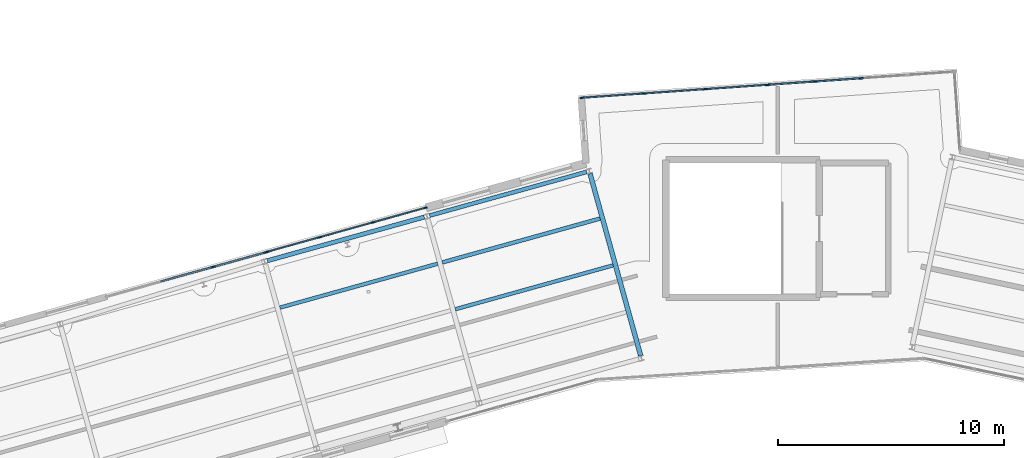
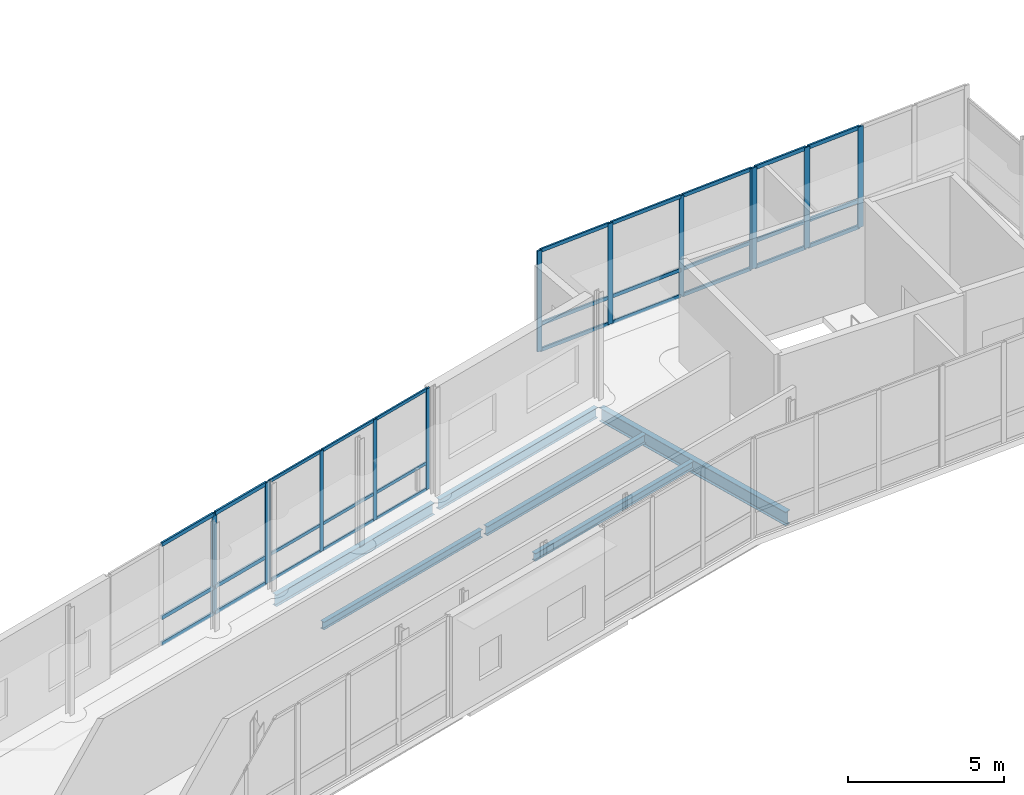
# One storey, part 36 of 125: 43 members, 6 beams, 4 elements without a shape of their own.
"""IFC4 building model written with IfcOpenShell, lengths in metres."""

import ifcopenshell
import ifcopenshell.guid

model = None  # the IFC model being written
_history = None  # IfcOwnerHistory: only IFC2X3 demands one
_inside = {}  # id of a spatial element -> (the spatial element, [elements in it])
_under = {}  # id of a project, library or spatial element -> (it, [spatial elements below it])
_declared = {}  # id of a project -> (the project, [libraries it declares])
_typed = {}  # id of a type object -> (the type object, [elements of that type])
_made_of = {}  # id of a material, layer set ... -> (it, [elements and type objects made of it])


def new_model(schema):
    """Start an empty IFC model of exactly this schema.

    Asked for "IFC4X3", IfcOpenShell would pick the latest addendum, in which some entities
    have other attributes; the version numbers below select the first issue.
    IFC2X3 requires an IfcOwnerHistory on every rooted entity: one is made here for all.
    """
    global model, _history
    if schema == "IFC4X3":
        model = ifcopenshell.file(schema_version=(4, 3, 0, 0))
    else:
        model = ifcopenshell.file(schema=schema)
    _inside.clear()
    _under.clear()
    _declared.clear()
    _typed.clear()
    _made_of.clear()
    _history = None
    if model.schema == "IFC2X3":
        org = make("IfcOrganization", Name="unknown")
        user = make(
            "IfcPersonAndOrganization",
            ThePerson=make("IfcPerson", FamilyName="unknown"),
            TheOrganization=org,
        )
        app = make(
            "IfcApplication",
            ApplicationDeveloper=org,
            Version="unknown",
            ApplicationFullName="unknown",
            ApplicationIdentifier="unknown",
        )
        _history = make(
            "IfcOwnerHistory",
            OwningUser=user,
            OwningApplication=app,
            ChangeAction="ADDED",
            CreationDate=0,
        )
    return model


def make(cls, **values):
    """One entity of the class cls with the attributes given. An attribute that is None is left unset."""
    return model.create_entity(
        cls, **{name: value for name, value in values.items() if value is not None}
    )


def rooted(cls, **values):
    """An entity with a GlobalId (a new one), such as an element, a storey or a relation."""
    return make(cls, GlobalId=ifcopenshell.guid.new(), OwnerHistory=_history, **values)


def si_unit(unit_type, name, prefix=None):
    """IfcSIUnit, for example si_unit("LENGTHUNIT", "METRE", prefix="MILLI")."""
    return make("IfcSIUnit", UnitType=unit_type, Prefix=prefix, Name=name)


def assignment(units):
    """IfcUnitAssignment: the units of a project."""
    return None if units is None else make("IfcUnitAssignment", Units=units)


def point(xyz):
    """IfcCartesianPoint."""
    return None if xyz is None else make("IfcCartesianPoint", Coordinates=xyz)


def direction(xyz):
    """IfcDirection."""
    return None if xyz is None else make("IfcDirection", DirectionRatios=xyz)


def frame(location, z_axis=None, x_axis=None):
    """IfcAxis2Placement3D, a coordinate frame: its origin and axes. An axis left out is left unset."""
    return make(
        "IfcAxis2Placement3D",
        Location=point(location),
        Axis=direction(z_axis),
        RefDirection=direction(x_axis),
    )


def frame_2d(location, x_axis=None):
    """IfcAxis2Placement2D, a coordinate frame in the plane: its origin and x axis."""
    return make(
        "IfcAxis2Placement2D", Location=point(location), RefDirection=direction(x_axis)
    )


def origin():
    """The frame at (0, 0, 0) with its axes left unset."""
    return frame((0.0, 0.0, 0.0))


def origin_2d():
    """The frame at (0, 0) in the plane with its x axis left unset."""
    return frame_2d((0.0, 0.0))


def place(relative_to, where):
    """IfcLocalPlacement: puts the frame where relative to a parent placement (None: the world)."""
    return make(
        "IfcLocalPlacement", PlacementRelTo=relative_to, RelativePlacement=where
    )


def context(
    kind, dimensions, precision=None, world=None, true_north=None, identifier=None
):
    """IfcGeometricRepresentationContext, for example the 3D "Model" context."""
    return make(
        "IfcGeometricRepresentationContext",
        ContextIdentifier=identifier,
        ContextType=kind,
        CoordinateSpaceDimension=dimensions,
        Precision=precision,
        WorldCoordinateSystem=world,
        TrueNorth=true_north,
    )


def subcontext(parent, identifier, kind, view, scale=None):
    """IfcGeometricRepresentationSubContext, for example "Body" below "Model"."""
    return make(
        "IfcGeometricRepresentationSubContext",
        ContextIdentifier=identifier,
        ContextType=kind,
        ParentContext=parent,
        TargetScale=scale,
        TargetView=view,
    )


def project(units=None, contexts=None):
    """IfcProject with its units and contexts."""
    return rooted(
        "IfcProject",
        Name="project",
        RepresentationContexts=contexts,
        UnitsInContext=assignment(units),
    )


def spatial(cls, under=None, at=None, **own):
    """A site, building, storey or space (cls), placed at a placement, below another one or the project."""
    s = rooted(cls, ObjectPlacement=at, **own)
    if under is not None:
        _under.setdefault(under.id(), (under, []))[1].append(s)
    return s


def profile(cls, at=None, kind="AREA", **sizes):
    """A parametric profile (cls). Its sizes go by their IFC names, for example OverallWidth=200.0."""
    return make(cls, ProfileType=kind, Position=at, **sizes)


def rectangle(**sizes):
    """IfcRectangleProfileDef."""
    return profile("IfcRectangleProfileDef", **sizes)


def i_section(**sizes):
    """IfcIShapeProfileDef."""
    return profile("IfcIShapeProfileDef", **sizes)


def extrude(swept, where, along, depth):
    """IfcExtrudedAreaSolid: the profile swept, set in the frame where, extruded along a direction by depth."""
    return make(
        "IfcExtrudedAreaSolid",
        SweptArea=swept,
        Position=where,
        ExtrudedDirection=direction(along),
        Depth=depth,
    )


def shape(context_of_items, identifier, shape_type, items):
    """IfcShapeRepresentation: the items that make up one representation, for example the "Body"."""
    return make(
        "IfcShapeRepresentation",
        ContextOfItems=context_of_items,
        RepresentationIdentifier=identifier,
        RepresentationType=shape_type,
        Items=items,
    )


def material(Name=None, Category=None):
    """IfcMaterial."""
    return make("IfcMaterial", Name=Name, Category=Category)


def material_profile(
    of_material, cross_section, Name=None, Category=None, Priority=None
):
    """IfcMaterialProfile: a cross section and its material."""
    return make(
        "IfcMaterialProfile",
        Name=Name,
        Material=of_material,
        Profile=cross_section,
        Priority=Priority,
        Category=Category,
    )


def profile_set(profiles, Name=None, composite=None):
    """IfcMaterialProfileSet."""
    return make(
        "IfcMaterialProfileSet",
        Name=Name,
        MaterialProfiles=profiles,
        CompositeProfile=composite,
    )


def made_of(thing, what):
    """Note that an element or type object is made of a material, layer set ...; save() writes the relation."""
    if what is not None:
        _made_of.setdefault(what.id(), (what, []))[1].append(thing)
    return thing


def type_object(cls, material=None, **own):
    """A type object (cls), such as IfcWallType, which elements share."""
    return made_of(rooted(cls, **own), material)


def element(
    cls,
    number,
    at=None,
    inside=None,
    cuts=None,
    type_object=None,
    material=None,
    context=None,
    identifier="Body",
    shape_type=None,
    held_by="IfcProductDefinitionShape",
    body=None,
    shapes=None,
    **own,
):
    """One element of the class cls, such as IfcWall. Its Tag is "e" and its number.

    at: its placement. inside: the storey or other place that contains it. cuts: it is an
    opening in that element (IfcRelVoidsElement). A single representation is given by context,
    identifier, shape_type and body (its items); several are given by shapes. held_by: the class
    of the entity that holds the representations. save() writes the other relations.
    """
    e = rooted(cls, Tag="e%d" % number, ObjectPlacement=at, **own)
    if body is not None:
        shapes = [shape(context, identifier, shape_type, body)]
    if shapes is not None:
        e.Representation = make(held_by, Representations=shapes)
    if inside is not None:
        _inside.setdefault(inside.id(), (inside, []))[1].append(e)
    if cuts is not None:
        rooted(
            "IfcRelVoidsElement", RelatingBuildingElement=cuts, RelatedOpeningElement=e
        )
    if type_object is not None:
        _typed.setdefault(type_object.id(), (type_object, []))[1].append(e)
    return made_of(e, material)


def aggregate(whole, parts):
    """IfcRelAggregates: a whole, such as a stair, and the parts it consists of."""
    return rooted("IfcRelAggregates", RelatingObject=whole, RelatedObjects=parts)


def save(model, path):
    """Write the relations noted so far, then the file.

    IfcRelAggregates (storeys below a building ...), IfcRelContainedInSpatialStructure (elements
    in a storey), IfcRelDefinesByType, IfcRelAssociatesMaterial and IfcRelDeclares: one each for
    every whole, place, type object, material and project.
    """
    for whole, parts in _under.values():
        aggregate(whole, parts)
    for where, things in _inside.values():
        rooted(
            "IfcRelContainedInSpatialStructure",
            RelatedElements=things,
            RelatingStructure=where,
        )
    for kind, things in _typed.values():
        rooted("IfcRelDefinesByType", RelatedObjects=things, RelatingType=kind)
    for what, things in _made_of.values():
        rooted("IfcRelAssociatesMaterial", RelatedObjects=things, RelatingMaterial=what)
    for by, libraries in _declared.values():
        rooted("IfcRelDeclares", RelatingContext=by, RelatedDefinitions=libraries)
    model.write(path)


model = new_model("IFC4")

# Units and contexts
model_context = context("Model", 3, precision=1e-05, world=origin(), true_north=direction((0.0, 1.0)))
body_context = subcontext(model_context, "Body", "Model", "MODEL_VIEW")
ifc_project = project(units=[si_unit("LENGTHUNIT", "METRE"), si_unit("AREAUNIT", "SQUARE_METRE"), si_unit("VOLUMEUNIT", "CUBIC_METRE"), si_unit("PLANEANGLEUNIT", "RADIAN"), si_unit("MASSUNIT", "GRAM", prefix="KILO")], contexts=[model_context])

# Site, building, storey
site_placement = place(None, origin())
site = spatial("IfcSite", under=ifc_project, at=site_placement, CompositionType="ELEMENT")
building_placement = place(site_placement, origin())
building = spatial("IfcBuilding", under=site, at=building_placement, Name="Wrenclough Park School", CompositionType="ELEMENT")
storey_placement = place(building_placement, frame((0.0, 0.0, 4.199951171875)))
storey = spatial("IfcBuildingStorey", under=building, at=storey_placement, Name="L01", CompositionType="ELEMENT", Elevation=4.199951171875)

# Curtain wall, members
ifc_material_1 = material(Name="Thermally broken aluminium and low-e glass curtain wall", Category="aluminium")
curtain_wall_type_1 = type_object("IfcCurtainWallType", Name="ENV-CW-01", PredefinedType="USERDEFINED", material=ifc_material_1)
curtain_wall_1_placement = place(storey_placement, origin())
curtain_wall_1 = element("IfcCurtainWall", 1, at=curtain_wall_1_placement, inside=storey, type_object=curtain_wall_type_1, Name="L01 recessed curtain wall assembly 144", ObjectType="CURTAIN WALL", PredefinedType="USERDEFINED")
ifc_material_2 = material(Name="Thermally broken anodised aluminium", Category="aluminium")
ifc_material_profile_1 = material_profile(ifc_material_2, rectangle(XDim=0.06005859375, YDim=0.159912109375, at=origin_2d()), Name="AL MULLION 60x160")
ifc_profile_set_1 = profile_set([ifc_material_profile_1], Name="Thermally broken anodised aluminium")
member_type_1 = type_object("IfcMemberType", Name="ENV-CWM-1", PredefinedType="MULLION", material=ifc_profile_set_1)
member_1_placement = place(storey_placement, frame((71.3994140625, 38.06884765625, 0.0), z_axis=(0.0, 0.0, 1.0), x_axis=(-0.268081523423, 0.963396230426, 0.0)))
member_1 = element("IfcMember", 2, at=member_1_placement, type_object=member_type_1, Name="CW-01 mullion 1", PredefinedType="MULLION", context=body_context, shape_type="SweptSolid", body=[
    extrude(rectangle(XDim=0.06005859375, YDim=0.159912109375, at=origin_2d()), origin(), (0.0, 0.0, 1.0), 3.93994140625),
])
member_2_placement = place(storey_placement, frame((73.72412109375, 38.7158203125, 0.0), z_axis=(0.0, 0.0, 1.0), x_axis=(-0.268081523423, 0.963396230426, 0.0)))
member_2 = element("IfcMember", 3, at=member_2_placement, type_object=member_type_1, Name="CW-01 mullion 2", PredefinedType="MULLION", context=body_context, shape_type="SweptSolid", body=[
    extrude(rectangle(XDim=0.06005859375, YDim=0.159912109375, at=origin_2d()), origin(), (0.0, 0.0, 1.0), 3.93994140625),
])
member_3_placement = place(storey_placement, frame((76.077880859375, 39.370849609375, 0.0), z_axis=(0.0, 0.0, 1.0), x_axis=(-0.268081523423, 0.963396230426, 0.0)))
member_3 = element("IfcMember", 4, at=member_3_placement, type_object=member_type_1, Name="CW-01 mullion 3", PredefinedType="MULLION", context=body_context, shape_type="SweptSolid", body=[
    extrude(rectangle(XDim=0.06005859375, YDim=0.159912109375, at=origin_2d()), origin(), (0.0, 0.0, 1.0), 3.93994140625),
])
member_4_placement = place(storey_placement, frame((78.402587890625, 40.017822265625, 0.0), z_axis=(0.0, 0.0, 1.0), x_axis=(-0.268081523423, 0.963396230426, 0.0)))
member_4 = element("IfcMember", 5, at=member_4_placement, type_object=member_type_1, Name="CW-01 mullion 4", PredefinedType="MULLION", context=body_context, shape_type="SweptSolid", body=[
    extrude(rectangle(XDim=0.06005859375, YDim=0.159912109375, at=origin_2d()), origin(), (0.0, 0.0, 1.0), 3.93994140625),
])

curtain_wall_type_2 = type_object("IfcCurtainWallType", Name="ENV-CW-02", PredefinedType="USERDEFINED", material=ifc_material_1)
curtain_wall_2_placement = place(storey_placement, origin())
curtain_wall_2 = element("IfcCurtainWall", 6, at=curtain_wall_2_placement, inside=storey, type_object=curtain_wall_type_2, Name="L01 recessed curtain wall assembly 145", ObjectType="CURTAIN WALL", PredefinedType="USERDEFINED")
ifc_material_profile_2 = material_profile(ifc_material_2, rectangle(XDim=0.06494140625, YDim=0.179931640625, at=origin_2d()), Name="AL MULLION 65x180")
ifc_profile_set_2 = profile_set([ifc_material_profile_2], Name="Thermally broken anodised aluminium")
member_type_2 = type_object("IfcMemberType", Name="ENV-CWM-2", PredefinedType="MULLION", material=ifc_profile_set_2)
member_5_placement = place(storey_placement, frame((85.338623046875, 44.8896484375, 0.0), z_axis=(0.0, 0.0, 1.0), x_axis=(-0.069741788808, 0.997565077022, 0.0)))
member_5 = element("IfcMember", 7, at=member_5_placement, type_object=member_type_2, Name="CW-02 mullion 1", PredefinedType="MULLION", context=body_context, shape_type="SweptSolid", body=[
    extrude(rectangle(XDim=0.06494140625, YDim=0.179931640625, at=origin_2d()), origin(), (0.0, 0.0, 1.0), 3.93994140625),
])
member_6_placement = place(storey_placement, frame((88.056640625, 45.079833984375, 0.0), z_axis=(0.0, 0.0, 1.0), x_axis=(-0.069741788808, 0.997565077022, 0.0)))
member_6 = element("IfcMember", 8, at=member_6_placement, type_object=member_type_2, Name="CW-02 mullion 2", PredefinedType="MULLION", context=body_context, shape_type="SweptSolid", body=[
    extrude(rectangle(XDim=0.06494140625, YDim=0.179931640625, at=origin_2d()), origin(), (0.0, 0.0, 1.0), 3.93994140625),
])
member_7_placement = place(storey_placement, frame((90.807373046875, 45.272216796875, 0.0), z_axis=(0.0, 0.0, 1.0), x_axis=(-0.069741788808, 0.997565077022, 0.0)))
member_7 = element("IfcMember", 9, at=member_7_placement, type_object=member_type_2, Name="CW-02 mullion 3", PredefinedType="MULLION", context=body_context, shape_type="SweptSolid", body=[
    extrude(rectangle(XDim=0.06494140625, YDim=0.179931640625, at=origin_2d()), origin(), (0.0, 0.0, 1.0), 3.93994140625),
])
member_8_placement = place(storey_placement, frame((93.525390625, 45.462158203125, 0.0), z_axis=(0.0, 0.0, 1.0), x_axis=(-0.069741788808, 0.997565077022, 0.0)))
member_8 = element("IfcMember", 10, at=member_8_placement, type_object=member_type_2, Name="CW-02 mullion 4", PredefinedType="MULLION", context=body_context, shape_type="SweptSolid", body=[
    extrude(rectangle(XDim=0.06494140625, YDim=0.179931640625, at=origin_2d()), origin(), (0.0, 0.0, 1.0), 3.93994140625),
])

curtain_wall_type_3 = type_object("IfcCurtainWallType", Name="ENV-CW-16", PredefinedType="USERDEFINED", material=ifc_material_1)
curtain_wall_3_placement = place(storey_placement, origin())
curtain_wall_3 = element("IfcCurtainWall", 11, at=curtain_wall_3_placement, inside=storey, type_object=curtain_wall_type_3, Name="L01 recessed curtain wall assembly 143", ObjectType="CURTAIN WALL", PredefinedType="USERDEFINED")
ifc_material_profile_3 = material_profile(ifc_material_2, rectangle(XDim=0.070068359375, YDim=0.199951171875, at=origin_2d()), Name="AL MULLION 70x200")
ifc_profile_set_3 = profile_set([ifc_material_profile_3], Name="Thermally broken anodised aluminium")
member_type_3 = type_object("IfcMemberType", Name="ENV-CWM-3", PredefinedType="MULLION", material=ifc_profile_set_3)
member_9_placement = place(storey_placement, frame((69.0087890625, 37.40380859375, 0.0), z_axis=(0.0, 0.0, 1.0), x_axis=(-0.268072383958, 0.963398773592, 0.0)))
member_9 = element("IfcMember", 12, at=member_9_placement, type_object=member_type_3, Name="CW-16 mullion 3", PredefinedType="MULLION", context=body_context, shape_type="SweptSolid", body=[
    extrude(rectangle(XDim=0.070068359375, YDim=0.199951171875, at=origin_2d()), origin(), (0.0, 0.0, 1.0), 3.93994140625),
])
member_10_placement = place(storey_placement, frame((71.328857421875, 38.04931640625, 0.0), z_axis=(0.0, 0.0, 1.0), x_axis=(-0.268072383958, 0.963398773592, 0.0)))
member_10 = element("IfcMember", 13, at=member_10_placement, type_object=member_type_3, Name="CW-16 mullion 4", PredefinedType="MULLION", context=body_context, shape_type="SweptSolid", body=[
    extrude(rectangle(XDim=0.070068359375, YDim=0.199951171875, at=origin_2d()), origin(), (0.0, 0.0, 1.0), 3.93994140625),
])

curtain_wall_type_4 = type_object("IfcCurtainWallType", Name="ENV-CW-03", PredefinedType="USERDEFINED", material=ifc_material_1)
curtain_wall_4_placement = place(storey_placement, origin())
curtain_wall_4 = element("IfcCurtainWall", 14, at=curtain_wall_4_placement, inside=storey, type_object=curtain_wall_type_4, Name="L01 recessed curtain wall assembly 146", ObjectType="CURTAIN WALL", PredefinedType="USERDEFINED")
member_11_placement = place(storey_placement, frame((93.600830078125, 45.467529296875, 0.0), z_axis=(0.0, 0.0, 1.0), x_axis=(-0.069752977869, 0.997564294709, 0.0)))
member_11 = element("IfcMember", 15, at=member_11_placement, type_object=member_type_3, Name="CW-03 mullion 1", PredefinedType="MULLION", context=body_context, shape_type="SweptSolid", body=[
    extrude(rectangle(XDim=0.070068359375, YDim=0.199951171875, at=origin_2d()), origin(), (0.0, 0.0, 1.0), 3.93994140625),
])
member_12_placement = place(storey_placement, frame((95.62890625, 45.609130859375, 0.0), z_axis=(0.0, 0.0, 1.0), x_axis=(-0.069752977869, 0.997564294709, 0.0)))
member_12 = element("IfcMember", 16, at=member_12_placement, type_object=member_type_3, Name="CW-03 mullion 2", PredefinedType="MULLION", context=body_context, shape_type="SweptSolid", body=[
    extrude(rectangle(XDim=0.070068359375, YDim=0.199951171875, at=origin_2d()), origin(), (0.0, 0.0, 1.0), 3.93994140625),
])
member_13_placement = place(storey_placement, frame((97.69189453125, 45.75341796875, 0.0), z_axis=(0.0, 0.0, 1.0), x_axis=(-0.069752977869, 0.997564294709, 0.0)))
member_13 = element("IfcMember", 17, at=member_13_placement, type_object=member_type_3, Name="CW-03 mullion 3", PredefinedType="MULLION", context=body_context, shape_type="SweptSolid", body=[
    extrude(rectangle(XDim=0.070068359375, YDim=0.199951171875, at=origin_2d()), origin(), (0.0, 0.0, 1.0), 3.93994140625),
])

# Member
ifc_material_profile_4 = material_profile(ifc_material_2, rectangle(XDim=0.06005859375, YDim=0.1201171875, at=origin_2d()), Name="AL TRANSOM 60x120")
ifc_profile_set_4 = profile_set([ifc_material_profile_4], Name="Thermally broken anodised aluminium")
member_type_4 = type_object("IfcMemberType", Name="ENV-CWT-1", PredefinedType="USERDEFINED", material=ifc_profile_set_4)
member_14_placement = place(storey_placement, frame((71.42822265625, 38.076904296875, 0.030029296875), z_axis=(0.963395929133, 0.268082606168, 0.0), x_axis=(-0.268082606168, 0.963395929133, 0.0)))
member_14 = element("IfcMember", 18, at=member_14_placement, type_object=member_type_4, Name="CW-01 transom 1.1", ObjectType="TRANSOM", PredefinedType="USERDEFINED", context=body_context, shape_type="SweptSolid", body=[
    extrude(rectangle(XDim=0.06005859375, YDim=0.1201171875, at=origin_2d()), origin(), (0.0, 0.0, 1.0), 2.353271484375),
])

member_15_placement = place(storey_placement, frame((71.42822265625, 38.076904296875, 1.050048828125), z_axis=(0.963395929133, 0.268082606168, 0.0), x_axis=(-0.268082606168, 0.963395929133, 0.0)))
member_15 = element("IfcMember", 19, at=member_15_placement, type_object=member_type_4, Name="CW-01 transom 1.2", ObjectType="TRANSOM", PredefinedType="USERDEFINED", context=body_context, shape_type="SweptSolid", body=[
    extrude(rectangle(XDim=0.06005859375, YDim=0.1201171875, at=origin_2d()), origin(), (0.0, 0.0, 1.0), 2.353271484375),
])

member_16_placement = place(storey_placement, frame((71.42822265625, 38.076904296875, 3.91015625), z_axis=(0.963395929133, 0.268082606168, 0.0), x_axis=(-0.268082606168, 0.963395929133, 0.0)))
member_16 = element("IfcMember", 20, at=member_16_placement, type_object=member_type_4, Name="CW-01 transom 1.3", ObjectType="TRANSOM", PredefinedType="USERDEFINED", context=body_context, shape_type="SweptSolid", body=[
    extrude(rectangle(XDim=0.06005859375, YDim=0.1201171875, at=origin_2d()), origin(), (0.0, 0.0, 1.0), 2.353271484375),
])

member_17_placement = place(storey_placement, frame((73.7529296875, 38.723876953125, 0.030029296875), z_axis=(0.963398943312, 0.268071774019, 0.0), x_axis=(-0.268071774019, 0.963398943312, 0.0)))
member_17 = element("IfcMember", 21, at=member_17_placement, type_object=member_type_4, Name="CW-01 transom 2.1", ObjectType="TRANSOM", PredefinedType="USERDEFINED", context=body_context, shape_type="SweptSolid", body=[
    extrude(rectangle(XDim=0.06005859375, YDim=0.1201171875, at=origin_2d()), origin(), (0.0, 0.0, 1.0), 2.38330078125),
])

member_18_placement = place(storey_placement, frame((73.7529296875, 38.723876953125, 1.050048828125), z_axis=(0.963398943312, 0.268071774019, 0.0), x_axis=(-0.268071774019, 0.963398943312, 0.0)))
member_18 = element("IfcMember", 22, at=member_18_placement, type_object=member_type_4, Name="CW-01 transom 2.2", ObjectType="TRANSOM", PredefinedType="USERDEFINED", context=body_context, shape_type="SweptSolid", body=[
    extrude(rectangle(XDim=0.06005859375, YDim=0.1201171875, at=origin_2d()), origin(), (0.0, 0.0, 1.0), 2.38330078125),
])

member_19_placement = place(storey_placement, frame((73.7529296875, 38.723876953125, 3.91015625), z_axis=(0.963398943312, 0.268071774019, 0.0), x_axis=(-0.268071774019, 0.963398943312, 0.0)))
member_19 = element("IfcMember", 23, at=member_19_placement, type_object=member_type_4, Name="CW-01 transom 2.3", ObjectType="TRANSOM", PredefinedType="USERDEFINED", context=body_context, shape_type="SweptSolid", body=[
    extrude(rectangle(XDim=0.06005859375, YDim=0.1201171875, at=origin_2d()), origin(), (0.0, 0.0, 1.0), 2.38330078125),
])

member_20_placement = place(storey_placement, frame((76.106689453125, 39.37890625, 0.030029296875), z_axis=(0.963395929133, 0.268082606168, 0.0), x_axis=(-0.268082606168, 0.963395929133, 0.0)))
member_20 = element("IfcMember", 24, at=member_20_placement, type_object=member_type_4, Name="CW-01 transom 3.1", ObjectType="TRANSOM", PredefinedType="USERDEFINED", context=body_context, shape_type="SweptSolid", body=[
    extrude(rectangle(XDim=0.06005859375, YDim=0.1201171875, at=origin_2d()), origin(), (0.0, 0.0, 1.0), 2.353271484375),
])

member_21_placement = place(storey_placement, frame((76.106689453125, 39.37890625, 1.050048828125), z_axis=(0.963395929133, 0.268082606168, 0.0), x_axis=(-0.268082606168, 0.963395929133, 0.0)))
member_21 = element("IfcMember", 25, at=member_21_placement, type_object=member_type_4, Name="CW-01 transom 3.2", ObjectType="TRANSOM", PredefinedType="USERDEFINED", context=body_context, shape_type="SweptSolid", body=[
    extrude(rectangle(XDim=0.06005859375, YDim=0.1201171875, at=origin_2d()), origin(), (0.0, 0.0, 1.0), 2.353271484375),
])

member_22_placement = place(storey_placement, frame((76.106689453125, 39.37890625, 3.91015625), z_axis=(0.963395929133, 0.268082606168, 0.0), x_axis=(-0.268082606168, 0.963395929133, 0.0)))
member_22 = element("IfcMember", 26, at=member_22_placement, type_object=member_type_4, Name="CW-01 transom 3.3", ObjectType="TRANSOM", PredefinedType="USERDEFINED", context=body_context, shape_type="SweptSolid", body=[
    extrude(rectangle(XDim=0.06005859375, YDim=0.1201171875, at=origin_2d()), origin(), (0.0, 0.0, 1.0), 2.353271484375),
])

aggregate(curtain_wall_1, [member_1, member_2, member_3, member_4, member_14, member_15, member_16, member_17, member_18, member_19, member_20, member_21, member_22])

ifc_material_profile_5 = material_profile(ifc_material_2, rectangle(XDim=0.06494140625, YDim=0.139892578125, at=origin_2d()), Name="AL TRANSOM 65x140")
ifc_profile_set_5 = profile_set([ifc_material_profile_5], Name="Thermally broken anodised aluminium")
member_type_5 = type_object("IfcMemberType", Name="ENV-CWT-2", PredefinedType="USERDEFINED", material=ifc_profile_set_5)
member_23_placement = place(storey_placement, frame((85.370849609375, 44.89208984375, 0.032470703125), z_axis=(0.997563824095, 0.069759707979, 0.0), x_axis=(-0.069759707979, 0.997563824095, 0.0)))
member_23 = element("IfcMember", 27, at=member_23_placement, type_object=member_type_5, Name="CW-02 transom 1.1", ObjectType="TRANSOM", PredefinedType="USERDEFINED", context=body_context, shape_type="SweptSolid", body=[
    extrude(rectangle(XDim=0.06494140625, YDim=0.139892578125, at=origin_2d()), origin(), (0.0, 0.0, 1.0), 2.659912109375),
])

member_24_placement = place(storey_placement, frame((85.370849609375, 44.89208984375, 1.050048828125), z_axis=(0.997563824095, 0.069759707979, 0.0), x_axis=(-0.069759707979, 0.997563824095, 0.0)))
member_24 = element("IfcMember", 28, at=member_24_placement, type_object=member_type_5, Name="CW-02 transom 1.2", ObjectType="TRANSOM", PredefinedType="USERDEFINED", context=body_context, shape_type="SweptSolid", body=[
    extrude(rectangle(XDim=0.06494140625, YDim=0.139892578125, at=origin_2d()), origin(), (0.0, 0.0, 1.0), 2.659912109375),
])

member_25_placement = place(storey_placement, frame((85.370849609375, 44.89208984375, 3.907470703125), z_axis=(0.997563824095, 0.069759707979, 0.0), x_axis=(-0.069759707979, 0.997563824095, 0.0)))
member_25 = element("IfcMember", 29, at=member_25_placement, type_object=member_type_5, Name="CW-02 transom 1.3", ObjectType="TRANSOM", PredefinedType="USERDEFINED", context=body_context, shape_type="SweptSolid", body=[
    extrude(rectangle(XDim=0.06494140625, YDim=0.139892578125, at=origin_2d()), origin(), (0.0, 0.0, 1.0), 2.659912109375),
])

member_26_placement = place(storey_placement, frame((88.089111328125, 45.08203125, 0.032470703125), z_axis=(0.997565721249, 0.06973257337, 0.0), x_axis=(-0.06973257337, 0.997565721249, 0.0)))
member_26 = element("IfcMember", 30, at=member_26_placement, type_object=member_type_5, Name="CW-02 transom 2.1", ObjectType="TRANSOM", PredefinedType="USERDEFINED", context=body_context, shape_type="SweptSolid", body=[
    extrude(rectangle(XDim=0.06494140625, YDim=0.139892578125, at=origin_2d()), origin(), (0.0, 0.0, 1.0), 2.6923828125),
])

member_27_placement = place(storey_placement, frame((88.089111328125, 45.08203125, 1.050048828125), z_axis=(0.997565721249, 0.06973257337, 0.0), x_axis=(-0.06973257337, 0.997565721249, 0.0)))
member_27 = element("IfcMember", 31, at=member_27_placement, type_object=member_type_5, Name="CW-02 transom 2.2", ObjectType="TRANSOM", PredefinedType="USERDEFINED", context=body_context, shape_type="SweptSolid", body=[
    extrude(rectangle(XDim=0.06494140625, YDim=0.139892578125, at=origin_2d()), origin(), (0.0, 0.0, 1.0), 2.6923828125),
])

member_28_placement = place(storey_placement, frame((88.089111328125, 45.08203125, 3.907470703125), z_axis=(0.997565721249, 0.06973257337, 0.0), x_axis=(-0.06973257337, 0.997565721249, 0.0)))
member_28 = element("IfcMember", 32, at=member_28_placement, type_object=member_type_5, Name="CW-02 transom 2.3", ObjectType="TRANSOM", PredefinedType="USERDEFINED", context=body_context, shape_type="SweptSolid", body=[
    extrude(rectangle(XDim=0.06494140625, YDim=0.139892578125, at=origin_2d()), origin(), (0.0, 0.0, 1.0), 2.6923828125),
])

member_29_placement = place(storey_placement, frame((90.839599609375, 45.2744140625, 0.032470703125), z_axis=(0.997564270717, 0.069753320981, 0.0), x_axis=(-0.069753320981, 0.997564270717, 0.0)))
member_29 = element("IfcMember", 33, at=member_29_placement, type_object=member_type_5, Name="CW-02 transom 3.1", ObjectType="TRANSOM", PredefinedType="USERDEFINED", context=body_context, shape_type="SweptSolid", body=[
    extrude(rectangle(XDim=0.06494140625, YDim=0.139892578125, at=origin_2d()), origin(), (0.0, 0.0, 1.0), 2.66015625),
])

member_30_placement = place(storey_placement, frame((90.839599609375, 45.2744140625, 1.050048828125), z_axis=(0.997564270717, 0.069753320981, 0.0), x_axis=(-0.069753320981, 0.997564270717, 0.0)))
member_30 = element("IfcMember", 34, at=member_30_placement, type_object=member_type_5, Name="CW-02 transom 3.2", ObjectType="TRANSOM", PredefinedType="USERDEFINED", context=body_context, shape_type="SweptSolid", body=[
    extrude(rectangle(XDim=0.06494140625, YDim=0.139892578125, at=origin_2d()), origin(), (0.0, 0.0, 1.0), 2.66015625),
])

member_31_placement = place(storey_placement, frame((90.839599609375, 45.2744140625, 3.907470703125), z_axis=(0.997564270717, 0.069753320981, 0.0), x_axis=(-0.069753320981, 0.997564270717, 0.0)))
member_31 = element("IfcMember", 35, at=member_31_placement, type_object=member_type_5, Name="CW-02 transom 3.3", ObjectType="TRANSOM", PredefinedType="USERDEFINED", context=body_context, shape_type="SweptSolid", body=[
    extrude(rectangle(XDim=0.06494140625, YDim=0.139892578125, at=origin_2d()), origin(), (0.0, 0.0, 1.0), 2.66015625),
])

aggregate(curtain_wall_2, [member_5, member_6, member_7, member_8, member_23, member_24, member_25, member_26, member_27, member_28, member_29, member_30, member_31])

ifc_material_profile_6 = material_profile(ifc_material_2, rectangle(XDim=0.070068359375, YDim=0.14990234375, at=origin_2d()), Name="AL TRANSOM 70x150")
ifc_profile_set_6 = profile_set([ifc_material_profile_6], Name="Thermally broken anodised aluminium")
member_type_6 = type_object("IfcMemberType", Name="ENV-CWT-3", PredefinedType="USERDEFINED", material=ifc_profile_set_6)
member_32_placement = place(storey_placement, frame((66.68896484375, 36.75830078125, 0.03515625), z_axis=(0.963414658284, 0.26801529099, 0.0), x_axis=(-0.26801529099, 0.963414658284, 0.0)))
member_32 = element("IfcMember", 36, at=member_32_placement, type_object=member_type_6, Name="CW-16 transom 2.1", ObjectType="TRANSOM", PredefinedType="USERDEFINED", context=body_context, shape_type="SweptSolid", body=[
    extrude(rectangle(XDim=0.070068359375, YDim=0.14990234375, at=origin_2d()), origin(), (0.0, 0.0, 1.0), 2.373046875),
])

member_33_placement = place(storey_placement, frame((66.68896484375, 36.75830078125, 1.050048828125), z_axis=(0.963414658284, 0.26801529099, 0.0), x_axis=(-0.26801529099, 0.963414658284, 0.0)))
member_33 = element("IfcMember", 37, at=member_33_placement, type_object=member_type_6, Name="CW-16 transom 2.2", ObjectType="TRANSOM", PredefinedType="USERDEFINED", context=body_context, shape_type="SweptSolid", body=[
    extrude(rectangle(XDim=0.070068359375, YDim=0.14990234375, at=origin_2d()), origin(), (0.0, 0.0, 1.0), 2.373046875),
])

member_34_placement = place(storey_placement, frame((66.68896484375, 36.75830078125, 3.905029296875), z_axis=(0.963414658284, 0.26801529099, 0.0), x_axis=(-0.26801529099, 0.963414658284, 0.0)))
member_34 = element("IfcMember", 38, at=member_34_placement, type_object=member_type_6, Name="CW-16 transom 2.3", ObjectType="TRANSOM", PredefinedType="USERDEFINED", context=body_context, shape_type="SweptSolid", body=[
    extrude(rectangle(XDim=0.070068359375, YDim=0.14990234375, at=origin_2d()), origin(), (0.0, 0.0, 1.0), 2.373046875),
])

member_35_placement = place(storey_placement, frame((69.042724609375, 37.4130859375, 0.03515625), z_axis=(0.963377153973, 0.268150068437, 0.0), x_axis=(-0.268150068437, 0.963377153973, 0.0)))
member_35 = element("IfcMember", 39, at=member_35_placement, type_object=member_type_6, Name="CW-16 transom 3.1", ObjectType="TRANSOM", PredefinedType="USERDEFINED", context=body_context, shape_type="SweptSolid", body=[
    extrude(rectangle(XDim=0.070068359375, YDim=0.14990234375, at=origin_2d()), origin(), (0.0, 0.0, 1.0), 2.338134765625),
])

member_36_placement = place(storey_placement, frame((69.042724609375, 37.4130859375, 1.050048828125), z_axis=(0.963377153973, 0.268150068437, 0.0), x_axis=(-0.268150068437, 0.963377153973, 0.0)))
member_36 = element("IfcMember", 40, at=member_36_placement, type_object=member_type_6, Name="CW-16 transom 3.2", ObjectType="TRANSOM", PredefinedType="USERDEFINED", context=body_context, shape_type="SweptSolid", body=[
    extrude(rectangle(XDim=0.070068359375, YDim=0.14990234375, at=origin_2d()), origin(), (0.0, 0.0, 1.0), 2.338134765625),
])

member_37_placement = place(storey_placement, frame((69.042724609375, 37.4130859375, 3.905029296875), z_axis=(0.963377153973, 0.268150068437, 0.0), x_axis=(-0.268150068437, 0.963377153973, 0.0)))
member_37 = element("IfcMember", 41, at=member_37_placement, type_object=member_type_6, Name="CW-16 transom 3.3", ObjectType="TRANSOM", PredefinedType="USERDEFINED", context=body_context, shape_type="SweptSolid", body=[
    extrude(rectangle(XDim=0.070068359375, YDim=0.14990234375, at=origin_2d()), origin(), (0.0, 0.0, 1.0), 2.338134765625),
])

aggregate(curtain_wall_3, [member_9, member_10, member_32, member_33, member_34, member_35, member_36, member_37])

member_38_placement = place(storey_placement, frame((93.6357421875, 45.469970703125, 0.03515625), z_axis=(0.997571685821, 0.069647194123, 0.0), x_axis=(-0.069647194123, 0.997571685821, 0.0)))
member_38 = element("IfcMember", 42, at=member_38_placement, type_object=member_type_6, Name="CW-03 transom 1.1", ObjectType="TRANSOM", PredefinedType="USERDEFINED", context=body_context, shape_type="SweptSolid", body=[
    extrude(rectangle(XDim=0.070068359375, YDim=0.14990234375, at=origin_2d()), origin(), (0.0, 0.0, 1.0), 1.963134765625),
])

member_39_placement = place(storey_placement, frame((93.6357421875, 45.469970703125, 1.050048828125), z_axis=(0.997571685821, 0.069647194123, 0.0), x_axis=(-0.069647194123, 0.997571685821, 0.0)))
member_39 = element("IfcMember", 43, at=member_39_placement, type_object=member_type_6, Name="CW-03 transom 1.2", ObjectType="TRANSOM", PredefinedType="USERDEFINED", context=body_context, shape_type="SweptSolid", body=[
    extrude(rectangle(XDim=0.070068359375, YDim=0.14990234375, at=origin_2d()), origin(), (0.0, 0.0, 1.0), 1.963134765625),
])

member_40_placement = place(storey_placement, frame((93.6357421875, 45.469970703125, 3.905029296875), z_axis=(0.997571685821, 0.069647194123, 0.0), x_axis=(-0.069647194123, 0.997571685821, 0.0)))
member_40 = element("IfcMember", 44, at=member_40_placement, type_object=member_type_6, Name="CW-03 transom 1.3", ObjectType="TRANSOM", PredefinedType="USERDEFINED", context=body_context, shape_type="SweptSolid", body=[
    extrude(rectangle(XDim=0.070068359375, YDim=0.14990234375, at=origin_2d()), origin(), (0.0, 0.0, 1.0), 1.963134765625),
])

member_41_placement = place(storey_placement, frame((95.663818359375, 45.611572265625, 0.03515625), z_axis=(0.997563051015, 0.069770762142, 0.0), x_axis=(-0.069770762142, 0.997563051015, 0.0)))
member_41 = element("IfcMember", 45, at=member_41_placement, type_object=member_type_6, Name="CW-03 transom 2.1", ObjectType="TRANSOM", PredefinedType="USERDEFINED", context=body_context, shape_type="SweptSolid", body=[
    extrude(rectangle(XDim=0.070068359375, YDim=0.14990234375, at=origin_2d()), origin(), (0.0, 0.0, 1.0), 1.998046875),
])

member_42_placement = place(storey_placement, frame((95.663818359375, 45.611572265625, 1.050048828125), z_axis=(0.997563051015, 0.069770762142, 0.0), x_axis=(-0.069770762142, 0.997563051015, 0.0)))
member_42 = element("IfcMember", 46, at=member_42_placement, type_object=member_type_6, Name="CW-03 transom 2.2", ObjectType="TRANSOM", PredefinedType="USERDEFINED", context=body_context, shape_type="SweptSolid", body=[
    extrude(rectangle(XDim=0.070068359375, YDim=0.14990234375, at=origin_2d()), origin(), (0.0, 0.0, 1.0), 1.998046875),
])

member_43_placement = place(storey_placement, frame((95.663818359375, 45.611572265625, 3.905029296875), z_axis=(0.997563051015, 0.069770762142, 0.0), x_axis=(-0.069770762142, 0.997563051015, 0.0)))
member_43 = element("IfcMember", 47, at=member_43_placement, type_object=member_type_6, Name="CW-03 transom 2.3", ObjectType="TRANSOM", PredefinedType="USERDEFINED", context=body_context, shape_type="SweptSolid", body=[
    extrude(rectangle(XDim=0.070068359375, YDim=0.14990234375, at=origin_2d()), origin(), (0.0, 0.0, 1.0), 1.998046875),
])

aggregate(curtain_wall_4, [member_11, member_12, member_13, member_38, member_39, member_40, member_41, member_42, member_43])

# Beams
ifc_material_3 = material(Name="Structural steel S355", Category="steel")
ifc_material_profile_7 = material_profile(ifc_material_3, i_section(OverallWidth=0.1650390625, OverallDepth=0.303466796875, WebThickness=0.006103515625, FlangeThickness=0.01025390625, FilletRadius=0.0087890625, at=origin_2d()), Name="UKB 305x165x40")
ifc_profile_set_7 = profile_set([ifc_material_profile_7], Name="Structural steel S355")
beam_type_1 = type_object("IfcBeamType", Name="STR-BM-UKB305", PredefinedType="JOIST", material=ifc_profile_set_7)
for number, where, z_axis, x_axis, name in (
    (48, (71.9619140625, 35.599365234375, -0.3916015625), (0.963399154107, 0.26807101646, 0.0), (-0.26807101646, 0.963399154107, 0.0), "W12 L01 secondary floor joist 0007"),
    (49, (79.725830078125, 35.528076171875, -0.3916015625), (0.963399154107, 0.26807101646, 0.0), (-0.26807101646, 0.963399154107, 0.0), "W12 L01 secondary floor joist 0011"),
):
    element("IfcBeam", number, at=place(storey_placement, frame(where, z_axis=z_axis, x_axis=x_axis)), inside=storey, type_object=beam_type_1, Name=name, PredefinedType="JOIST", context=body_context, shape_type="SweptSolid", body=[
        extrude(i_section(OverallWidth=0.1650390625, OverallDepth=0.303466796875, WebThickness=0.006103515625, FlangeThickness=0.01025390625, FilletRadius=0.0087890625, at=origin_2d()), origin(), (0.0, 0.0, 1.0), 7.251220703125),
    ])
ifc_material_profile_8 = material_profile(ifc_material_3, i_section(OverallWidth=0.17138671875, OverallDepth=0.35498046875, WebThickness=0.00732421875, FlangeThickness=0.011474609375, FilletRadius=0.01025390625, at=origin_2d()), Name="UKB 356x171x51")
ifc_profile_set_8 = profile_set([ifc_material_profile_8], Name="Structural steel S355")
beam_type_2 = type_object("IfcBeamType", Name="STR-BM-UKB356", PredefinedType="JOIST", material=ifc_profile_set_8)
beam_1_placement = place(storey_placement, frame((79.1494140625, 37.599365234375, -0.41748046875), z_axis=(0.963399154107, 0.26807101646, 0.0), x_axis=(-0.26807101646, 0.963399154107, 0.0)))
element("IfcBeam", 50, at=beam_1_placement, inside=storey, type_object=beam_type_2, Name="W12 L01 secondary floor joist 0010", PredefinedType="JOIST", context=body_context, shape_type="SweptSolid", body=[
    extrude(i_section(OverallWidth=0.17138671875, OverallDepth=0.35498046875, WebThickness=0.00732421875, FlangeThickness=0.011474609375, FilletRadius=0.01025390625, at=origin_2d()), origin(), (0.0, 0.0, 1.0), 7.251220703125),
])
ifc_material_profile_9 = material_profile(ifc_material_3, i_section(OverallWidth=0.177978515625, OverallDepth=0.406494140625, WebThickness=0.0078125, FlangeThickness=0.0126953125, FilletRadius=0.01025390625, at=origin_2d()), Name="UKB 406x178x60")
ifc_profile_set_9 = profile_set([ifc_material_profile_9], Name="Structural steel S355")
beam_type_3 = type_object("IfcBeamType", Name="STR-BM-UKB406", PredefinedType="BEAM", material=ifc_profile_set_9)
beam_2_placement = place(storey_placement, frame((78.590087890625, 39.67529296875, -0.443115234375), z_axis=(0.963393234091, 0.268092291025, 0.0), x_axis=(-0.268092291025, 0.963393234091, 0.0)))
element("IfcBeam", 51, at=beam_2_placement, inside=storey, type_object=beam_type_3, Name="W12 L01 longitudinal edge beam L4", PredefinedType="BEAM", context=body_context, shape_type="SweptSolid", body=[
    extrude(i_section(OverallWidth=0.177978515625, OverallDepth=0.406494140625, WebThickness=0.0078125, FlangeThickness=0.0126953125, FilletRadius=0.01025390625, at=origin_2d()), origin(), (0.0, 0.0, 1.0), 7.216064453125),
])
ifc_material_profile_10 = material_profile(ifc_material_3, i_section(OverallWidth=0.18994140625, OverallDepth=0.453369140625, WebThickness=0.008544921875, FlangeThickness=0.0126953125, FilletRadius=0.01025390625, at=origin_2d()), Name="UKB 457x191x67")
ifc_profile_set_10 = profile_set([ifc_material_profile_10], Name="Structural steel S355")
beam_type_4 = type_object("IfcBeamType", Name="STR-BM-UKB457A", PredefinedType="BEAM", material=ifc_profile_set_10)
beam_3_placement = place(storey_placement, frame((71.402587890625, 37.67529296875, -0.466552734375), z_axis=(0.963393234091, 0.268092291025, 0.0), x_axis=(-0.268092291025, 0.963393234091, 0.0)))
element("IfcBeam", 52, at=beam_3_placement, inside=storey, type_object=beam_type_4, Name="W12 L01 longitudinal edge beam L3", PredefinedType="BEAM", context=body_context, shape_type="SweptSolid", body=[
    extrude(i_section(OverallWidth=0.18994140625, OverallDepth=0.453369140625, WebThickness=0.008544921875, FlangeThickness=0.0126953125, FilletRadius=0.01025390625, at=origin_2d()), origin(), (0.0, 0.0, 1.0), 7.216064453125),
])
ifc_material_profile_11 = material_profile(ifc_material_3, i_section(OverallWidth=0.209228515625, OverallDepth=0.533203125, WebThickness=0.010009765625, FlangeThickness=0.015625, FilletRadius=0.0126953125, at=origin_2d()), Name="UKB 533x210x92")
ifc_profile_set_11 = profile_set([ifc_material_profile_11], Name="Structural steel S355")
beam_type_5 = type_object("IfcBeamType", Name="STR-BM-UKB533A", PredefinedType="BEAM", material=ifc_profile_set_11)
beam_4_placement = place(storey_placement, frame((85.692626953125, 41.52490234375, -0.506591796875), z_axis=(0.268053740699, -0.963403961014, 0.0), x_axis=(0.963403961014, 0.268053740699, 0.0)))
element("IfcBeam", 53, at=beam_4_placement, inside=storey, type_object=beam_type_5, Name="W12 L01 transverse floor beam 5", PredefinedType="BEAM", context=body_context, shape_type="SweptSolid", body=[
    extrude(i_section(OverallWidth=0.209228515625, OverallDepth=0.533203125, WebThickness=0.010009765625, FlangeThickness=0.015625, FilletRadius=0.0126953125, at=origin_2d()), origin(), (0.0, 0.0, 1.0), 8.35546875),
])

save(model, "model.ifc")
